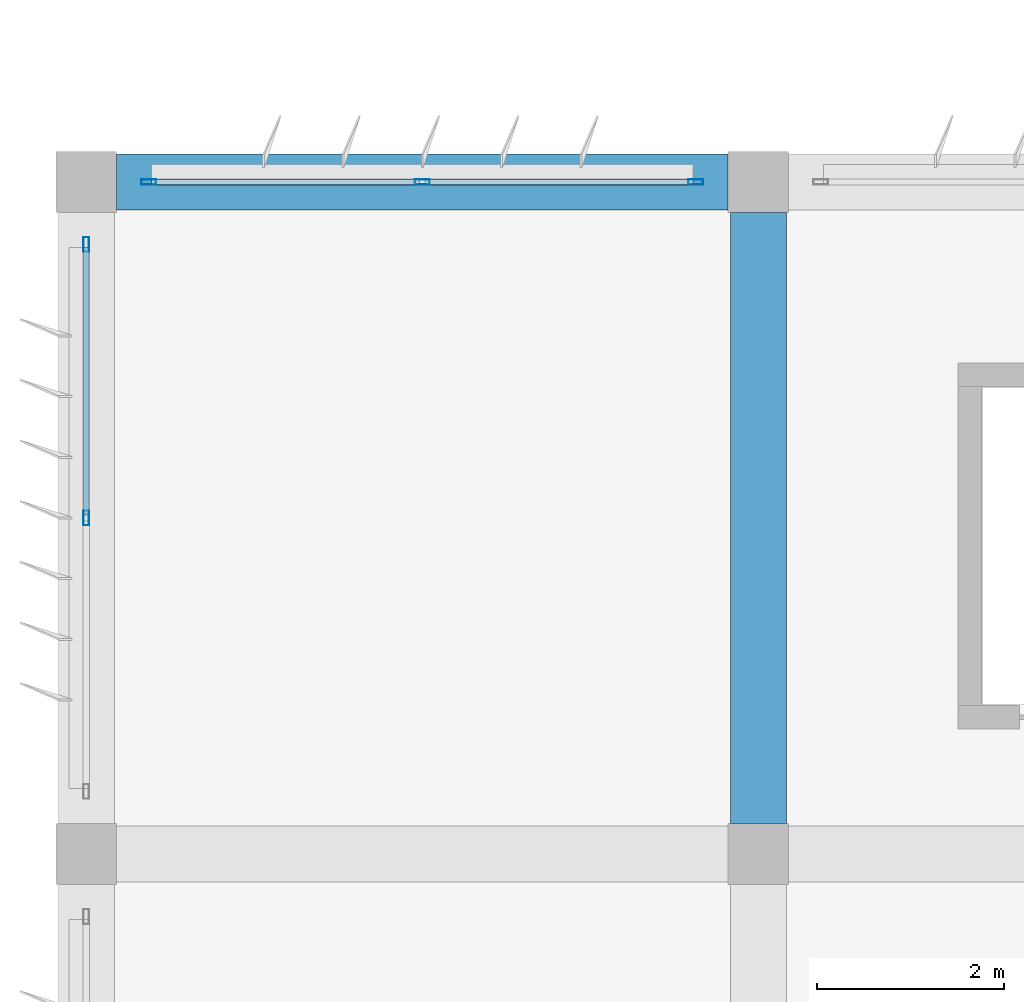
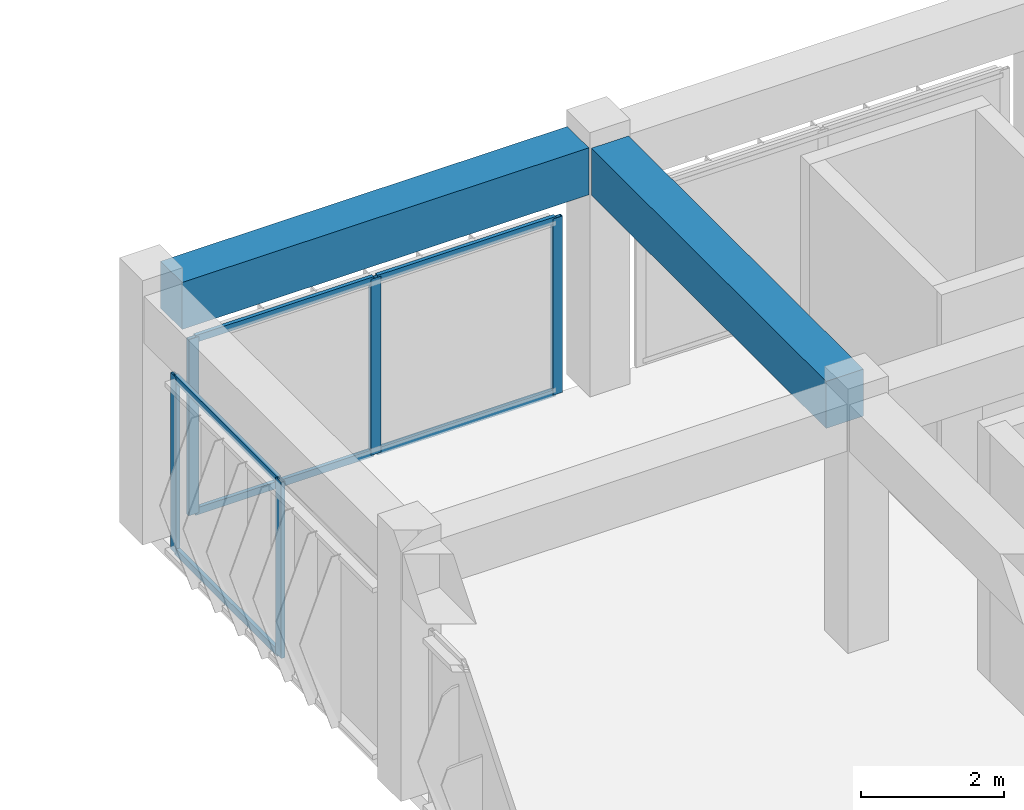
# One storey, part 13 of 56: 11 members, 2 beams, 2 elements without a shape of their own.
"""IFC4 building model written with IfcOpenShell, lengths in metres."""

from ifc_helpers import new_model, si_unit, direction, frame, origin, origin_2d, place, context, subcontext, project, spatial, rectangle, hollow_rectangle, extrude, material, material_profile, profile_set, type_object, element, aggregate, save


model = new_model("IFC4")

# Units and contexts
model_context = context("Model", 3, precision=1e-05, world=origin(), true_north=direction((0.0, 1.0)))
body_context = subcontext(model_context, "Body", "Model", "MODEL_VIEW")
ifc_project = project(units=[si_unit("LENGTHUNIT", "METRE"), si_unit("AREAUNIT", "SQUARE_METRE"), si_unit("VOLUMEUNIT", "CUBIC_METRE"), si_unit("PLANEANGLEUNIT", "RADIAN"), si_unit("MASSUNIT", "GRAM", prefix="KILO")], contexts=[model_context])

# Site, building, storey
site_placement = place(None, origin())
site = spatial("IfcSite", under=ifc_project, at=site_placement, CompositionType="ELEMENT")
building_placement = place(site_placement, origin())
building = spatial("IfcBuilding", under=site, at=building_placement, Name="Kazehaya Institute of Natural Sciences", CompositionType="ELEMENT")
storey_placement = place(building_placement, frame((0.0, 0.0, 28.800048828125)))
storey = spatial("IfcBuildingStorey", under=building, at=storey_placement, Name="L06", CompositionType="ELEMENT", Elevation=28.800048828125)

# Beams
ifc_material_1 = material(Name="Concrete Fc36", Category="concrete")
ifc_material_profile_1 = material_profile(ifc_material_1, rectangle(XDim=0.60009765625, YDim=0.800048828125, at=origin_2d()), Name="RC-600x800")
ifc_profile_set_1 = profile_set([ifc_material_profile_1], Name="Concrete Fc36")
beam_type = type_object("IfcBeamType", Name="BM-G-600x800", PredefinedType="BEAM", material=ifc_profile_set_1)
beam_1_placement = place(storey_placement, frame((54.925048828125, 35.60009765625, 3.829833984375), z_axis=(1.0, 0.0, 0.0), x_axis=(0.0, 1.0, 0.0)))
element("IfcBeam", 1, at=beam_1_placement, inside=storey, type_object=beam_type, Name="L06 primary X girder BMX-L06-546-356", PredefinedType="BEAM", context=body_context, shape_type="SweptSolid", body=[
    extrude(rectangle(XDim=0.60009765625, YDim=0.800048828125, at=origin_2d()), origin(), (0.0, 0.0, 1.0), 6.550048828125),
])
beam_2_placement = place(storey_placement, frame((61.800048828125, 28.72509765625, 3.829833984375), z_axis=(0.0, 1.0, 0.0), x_axis=(-1.0, 0.0, 0.0)))
element("IfcBeam", 2, at=beam_2_placement, inside=storey, type_object=beam_type, Name="L06 primary Y girder BMY-L06-618-284", PredefinedType="BEAM", context=body_context, shape_type="SweptSolid", body=[
    extrude(rectangle(XDim=0.60009765625, YDim=0.800048828125, at=origin_2d()), origin(), (0.0, 0.0, 1.0), 6.5498046875),
])

# Curtain wall, members
ifc_material_2 = material(Name="Aluminium alloy A6063S-T5", Category="aluminium")
curtain_wall_type_1 = type_object("IfcCurtainWallType", Name="CW-SYS-04", PredefinedType="NOTDEFINED", material=ifc_material_2)
curtain_wall_1_placement = place(storey_placement, origin())
curtain_wall_1 = element("IfcCurtainWall", 3, at=curtain_wall_1_placement, inside=storey, type_object=curtain_wall_type_1, Name="L06 unitised curtain wall CW-L06-129", PredefinedType="NOTDEFINED")
ifc_material_profile_2 = material_profile(ifc_material_2, hollow_rectangle(XDim=0.06005859375, YDim=0.159912109375, WallThickness=0.00390625, at=origin_2d()), Name="ALU-60x160x4")
ifc_profile_set_2 = profile_set([ifc_material_profile_2], Name="Aluminium alloy A6063S-T5")
member_type_1 = type_object("IfcMemberType", Name="CWM-160", PredefinedType="MULLION", material=ifc_profile_set_2)
member_1_placement = place(storey_placement, frame((55.27001953125, 35.60009765625, 0.0), z_axis=(0.0, 0.0, 1.0), x_axis=(0.0, 1.0, 0.0)))
member_1 = element("IfcMember", 4, at=member_1_placement, type_object=member_type_1, Name="CW04 mullion 1", PredefinedType="MULLION", context=body_context, shape_type="SweptSolid", body=[
    extrude(hollow_rectangle(XDim=0.06005859375, YDim=0.159912109375, WallThickness=0.00390625, at=origin_2d()), origin(), (0.0, 0.0, 1.0), 3.0),
])
member_2_placement = place(storey_placement, frame((58.199951171875, 35.60009765625, 0.0), z_axis=(0.0, 0.0, 1.0), x_axis=(0.0, 1.0, 0.0)))
member_2 = element("IfcMember", 5, at=member_2_placement, type_object=member_type_1, Name="CW04 mullion 2", PredefinedType="MULLION", context=body_context, shape_type="SweptSolid", body=[
    extrude(hollow_rectangle(XDim=0.06005859375, YDim=0.159912109375, WallThickness=0.00390625, at=origin_2d()), origin(), (0.0, 0.0, 1.0), 3.0),
])
member_3_placement = place(storey_placement, frame((61.1298828125, 35.60009765625, 0.0), z_axis=(0.0, 0.0, 1.0), x_axis=(0.0, 1.0, 0.0)))
member_3 = element("IfcMember", 6, at=member_3_placement, type_object=member_type_1, Name="CW04 mullion 3", PredefinedType="MULLION", context=body_context, shape_type="SweptSolid", body=[
    extrude(hollow_rectangle(XDim=0.06005859375, YDim=0.159912109375, WallThickness=0.00390625, at=origin_2d()), origin(), (0.0, 0.0, 1.0), 3.0),
])

curtain_wall_type_2 = type_object("IfcCurtainWallType", Name="CW-SYS-10", PredefinedType="NOTDEFINED", material=ifc_material_2)
curtain_wall_2_placement = place(storey_placement, origin())
curtain_wall_2 = element("IfcCurtainWall", 7, at=curtain_wall_2_placement, inside=storey, type_object=curtain_wall_type_2, Name="L06 unitised curtain wall CW-L06-146", PredefinedType="NOTDEFINED")
member_4_placement = place(storey_placement, frame((54.60009765625, 32.0, 0.0), z_axis=(0.0, 0.0, 1.0), x_axis=(-1.0, 0.0, 0.0)))
member_4 = element("IfcMember", 8, at=member_4_placement, type_object=member_type_1, Name="CW10 mullion 2", PredefinedType="MULLION", context=body_context, shape_type="SweptSolid", body=[
    extrude(hollow_rectangle(XDim=0.06005859375, YDim=0.159912109375, WallThickness=0.00390625, at=origin_2d()), origin(), (0.0, 0.0, 1.0), 3.0),
])
member_5_placement = place(storey_placement, frame((54.60009765625, 34.929931640625, 0.0), z_axis=(0.0, 0.0, 1.0), x_axis=(-1.0, 0.0, 0.0)))
member_5 = element("IfcMember", 9, at=member_5_placement, type_object=member_type_1, Name="CW10 mullion 3", PredefinedType="MULLION", context=body_context, shape_type="SweptSolid", body=[
    extrude(hollow_rectangle(XDim=0.06005859375, YDim=0.159912109375, WallThickness=0.00390625, at=origin_2d()), origin(), (0.0, 0.0, 1.0), 3.0),
])

# Member
ifc_material_profile_3 = material_profile(ifc_material_2, hollow_rectangle(XDim=0.06005859375, YDim=0.1201171875, WallThickness=0.00341796875, at=origin_2d()), Name="ALU-60x120x3.5")
ifc_profile_set_3 = profile_set([ifc_material_profile_3], Name="Aluminium alloy A6063S-T5")
member_type_2 = type_object("IfcMemberType", Name="CWT-120", PredefinedType="USERDEFINED", material=ifc_profile_set_3)
member_6_placement = place(storey_placement, frame((55.300048828125, 35.60009765625, 0.030029296875), z_axis=(1.0, 0.0, 0.0), x_axis=(0.0, 1.0, 0.0)))
member_6 = element("IfcMember", 10, at=member_6_placement, type_object=member_type_2, Name="CW04 transom 1.1", ObjectType="TRANSOM", PredefinedType="USERDEFINED", context=body_context, shape_type="SweptSolid", body=[
    extrude(hollow_rectangle(XDim=0.06005859375, YDim=0.1201171875, WallThickness=0.00341796875, at=origin_2d()), origin(), (0.0, 0.0, 1.0), 2.869873046875),
])

member_7_placement = place(storey_placement, frame((55.300048828125, 35.60009765625, 2.969970703125), z_axis=(1.0, 0.0, 0.0), x_axis=(0.0, 1.0, 0.0)))
member_7 = element("IfcMember", 11, at=member_7_placement, type_object=member_type_2, Name="CW04 transom 1.2", ObjectType="TRANSOM", PredefinedType="USERDEFINED", context=body_context, shape_type="SweptSolid", body=[
    extrude(hollow_rectangle(XDim=0.06005859375, YDim=0.1201171875, WallThickness=0.00341796875, at=origin_2d()), origin(), (0.0, 0.0, 1.0), 2.869873046875),
])

member_8_placement = place(storey_placement, frame((58.22998046875, 35.60009765625, 0.030029296875), z_axis=(1.0, 0.0, 0.0), x_axis=(0.0, 1.0, 0.0)))
member_8 = element("IfcMember", 12, at=member_8_placement, type_object=member_type_2, Name="CW04 transom 2.1", ObjectType="TRANSOM", PredefinedType="USERDEFINED", context=body_context, shape_type="SweptSolid", body=[
    extrude(hollow_rectangle(XDim=0.06005859375, YDim=0.1201171875, WallThickness=0.00341796875, at=origin_2d()), origin(), (0.0, 0.0, 1.0), 2.8701171875),
])

member_9_placement = place(storey_placement, frame((58.22998046875, 35.60009765625, 2.969970703125), z_axis=(1.0, 0.0, 0.0), x_axis=(0.0, 1.0, 0.0)))
member_9 = element("IfcMember", 13, at=member_9_placement, type_object=member_type_2, Name="CW04 transom 2.2", ObjectType="TRANSOM", PredefinedType="USERDEFINED", context=body_context, shape_type="SweptSolid", body=[
    extrude(hollow_rectangle(XDim=0.06005859375, YDim=0.1201171875, WallThickness=0.00341796875, at=origin_2d()), origin(), (0.0, 0.0, 1.0), 2.8701171875),
])

aggregate(curtain_wall_1, [member_1, member_2, member_3, member_6, member_7, member_8, member_9])

member_10_placement = place(storey_placement, frame((54.60009765625, 32.030029296875, 0.030029296875), z_axis=(0.0, 1.0, 0.0), x_axis=(-1.0, 0.0, 0.0)))
member_10 = element("IfcMember", 14, at=member_10_placement, type_object=member_type_2, Name="CW10 transom 2.1", ObjectType="TRANSOM", PredefinedType="USERDEFINED", context=body_context, shape_type="SweptSolid", body=[
    extrude(hollow_rectangle(XDim=0.06005859375, YDim=0.1201171875, WallThickness=0.00341796875, at=origin_2d()), origin(), (0.0, 0.0, 1.0), 2.869873046875),
])

member_11_placement = place(storey_placement, frame((54.60009765625, 32.030029296875, 2.969970703125), z_axis=(0.0, 1.0, 0.0), x_axis=(-1.0, 0.0, 0.0)))
member_11 = element("IfcMember", 15, at=member_11_placement, type_object=member_type_2, Name="CW10 transom 2.2", ObjectType="TRANSOM", PredefinedType="USERDEFINED", context=body_context, shape_type="SweptSolid", body=[
    extrude(hollow_rectangle(XDim=0.06005859375, YDim=0.1201171875, WallThickness=0.00341796875, at=origin_2d()), origin(), (0.0, 0.0, 1.0), 2.869873046875),
])

aggregate(curtain_wall_2, [member_4, member_5, member_10, member_11])

save(model, "model.ifc")
